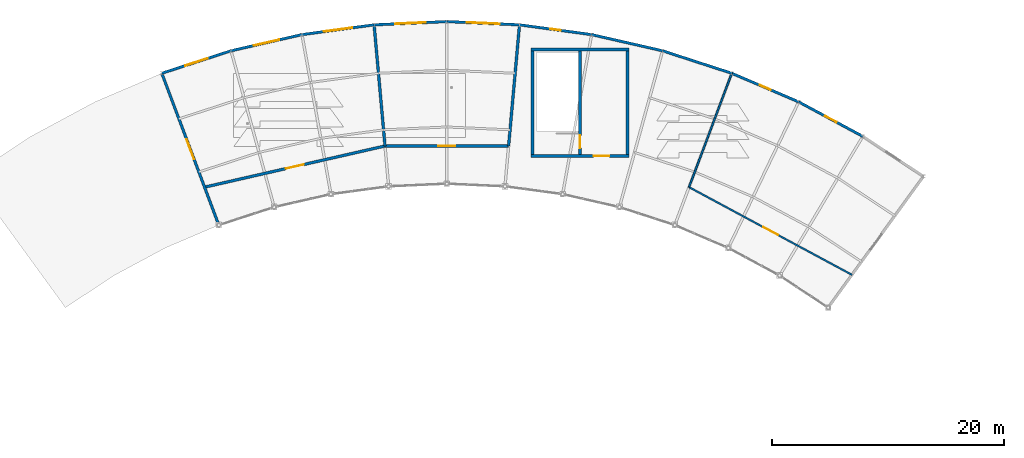
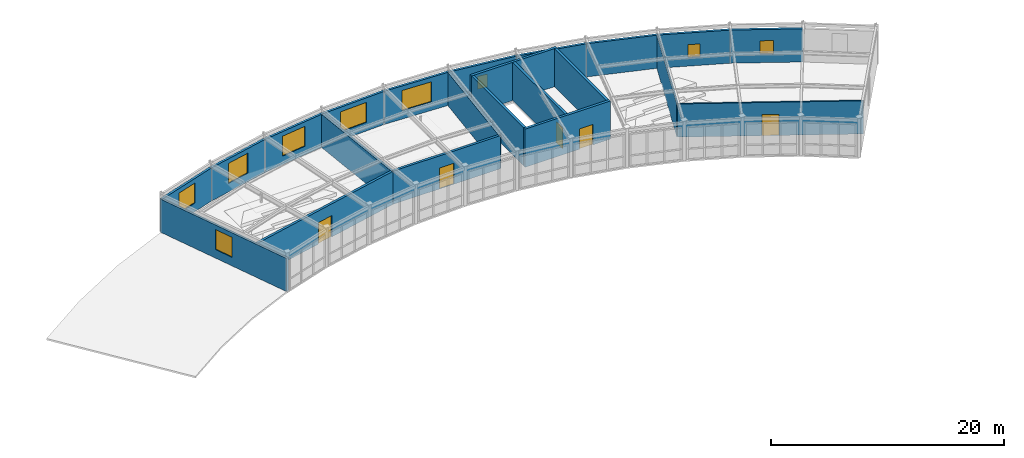
# One storey, part 41 of 54: 22 walls, 9 windows, 5 doors, 14 openings.
"""IFC4 building model written with IfcOpenShell, lengths in metres."""

from ifc_helpers import new_model, si_unit, direction, frame, frame_2d, origin, place, context, subcontext, project, spatial, rectangle, extrude, material, layer, layer_set, type_object, element, fill, save


model = new_model("IFC4")

# Units and contexts
model_context = context("Model", 3, precision=1e-05, world=origin(), true_north=direction((0.0, 1.0)))
body_context = subcontext(model_context, "Body", "Model", "MODEL_VIEW")
ifc_project = project(units=[si_unit("LENGTHUNIT", "METRE"), si_unit("AREAUNIT", "SQUARE_METRE"), si_unit("VOLUMEUNIT", "CUBIC_METRE"), si_unit("PLANEANGLEUNIT", "RADIAN"), si_unit("MASSUNIT", "GRAM", prefix="KILO")], contexts=[model_context])

# Site, building, storey
site_placement = place(None, origin())
site = spatial("IfcSite", under=ifc_project, at=site_placement, CompositionType="ELEMENT")
building_placement = place(site_placement, origin())
building = spatial("IfcBuilding", under=site, at=building_placement, Name="Selat Folded Stagehouse", CompositionType="ELEMENT")
storey_placement = place(building_placement, frame((0.0, 0.0, 15.0)))
storey = spatial("IfcBuildingStorey", under=building, at=storey_placement, Name="L03", CompositionType="ELEMENT", Elevation=15.0)

# Wall, opening, door
ifc_material_1 = material(Name="Double-stud acoustic gypsum and mineral wool", Category="gypsum")
ifc_layer_1 = layer(ifc_material_1, 0.239990234375)
ifc_layer_set_1 = layer_set([ifc_layer_1], Name="Double-stud acoustic gypsum and mineral wool")
wall_type_1 = type_object("IfcWallType", Name="WAL-ACOU-240", PredefinedType="PARTITIONING", material=ifc_layer_set_1)
wall_1_placement = place(storey_placement, frame((71.4931640625, 93.7060546875, 0.0), z_axis=(0.0, 0.0, 1.0), x_axis=(0.974928557895, 0.222518104885, 0.0)))
wall_1 = element("IfcWall", 1, at=wall_1_placement, inside=storey, type_object=wall_type_1, Name="L03 interior partition wall 100", PredefinedType="PARTITIONING", context=body_context, shape_type="SweptSolid", body=[
    extrude(rectangle(XDim=15.9736328125, YDim=0.239990234375, at=frame_2d((7.98681640625, 0.0))), origin(), (0.0, 0.0, 1.0), 3.47705078125),
])
opening_1_placement = place(wall_1_placement, frame((7.18701171875, 0.0, 0.0)))
opening_1 = element("IfcOpeningElement", 2, at=opening_1_placement, cuts=wall_1, Name="Opening RD-01", PredefinedType="OPENING", context=body_context, shape_type="SweptSolid", body=[
    extrude(rectangle(XDim=1.60009765625, YDim=2.25, at=frame_2d((0.800048828125, 1.125))), frame((0.0, 0.1298828125, 0.0), z_axis=(0.0, -1.0, 0.0), x_axis=(1.0, 0.0, 0.0)), (0.0, 0.0, 1.0), 0.260009765625),
])
ifc_material_2 = material(Name="Rehearsal studio acoustic leaf-and-half door", Category="wood")
door_type_1 = type_object("IfcDoorType", Name="DOR-REH-1600", OperationType="NOTDEFINED", PredefinedType="DOOR", material=ifc_material_2)
door_1_placement = place(opening_1_placement, origin())
door_1 = element("IfcDoor", 3, at=door_1_placement, inside=storey, type_object=door_type_1, Name="L03 interior door IWAL-L03-100-1", OperationType="SINGLE_SWING_RIGHT", OverallHeight=2.25, OverallWidth=1.60009765625, PredefinedType="DOOR", context=body_context, shape_type="SweptSolid", body=[
    extrude(rectangle(XDim=1.60009765625, YDim=2.25, at=frame_2d((0.800048828125, 1.125))), frame((0.0, 0.02490234375, 0.0), z_axis=(0.0, -1.0, 0.0), x_axis=(1.0, 0.0, 0.0)), (0.0, 0.0, 1.0), 0.050048828125),
])
fill(opening_1, door_1)

wall_2_placement = place(storey_placement, frame((87.06640625, 97.260498046875, 0.0), z_axis=(0.0, 0.0, 1.0), x_axis=(1.0, 0.0, 0.0)))
wall_2 = element("IfcWall", 4, at=wall_2_placement, inside=storey, type_object=wall_type_1, Name="L03 interior partition wall 101", PredefinedType="PARTITIONING", context=body_context, shape_type="SweptSolid", body=[
    extrude(rectangle(XDim=10.6669921875, YDim=0.239990234375, at=frame_2d((5.33349609375, 0.0))), origin(), (0.0, 0.0, 1.0), 3.47705078125),
])
opening_2_placement = place(wall_2_placement, frame((4.6083984375, 0.0, 0.0)))
opening_2 = element("IfcOpeningElement", 5, at=opening_2_placement, cuts=wall_2, Name="Opening RD-02", PredefinedType="OPENING", context=body_context, shape_type="SweptSolid", body=[
    extrude(rectangle(XDim=1.449951171875, YDim=2.199951171875, at=frame_2d((0.72509765625, 1.10009765625))), frame((0.0, 0.1298828125, 0.0), z_axis=(0.0, -1.0, 0.0), x_axis=(1.0, 0.0, 0.0)), (0.0, 0.0, 1.0), 0.260009765625),
])
ifc_material_3 = material(Name="Music studio acoustic door", Category="wood")
door_type_2 = type_object("IfcDoorType", Name="DOR-REH-1450", OperationType="NOTDEFINED", PredefinedType="DOOR", material=ifc_material_3)
door_2_placement = place(opening_2_placement, origin())
door_2 = element("IfcDoor", 6, at=door_2_placement, inside=storey, type_object=door_type_2, Name="L03 interior door IWAL-L03-101-1", OperationType="SINGLE_SWING_LEFT", OverallHeight=2.199951171875, OverallWidth=1.449951171875, PredefinedType="DOOR", context=body_context, shape_type="SweptSolid", body=[
    extrude(rectangle(XDim=1.449951171875, YDim=2.199951171875, at=frame_2d((0.72509765625, 1.10009765625))), frame((0.0, 0.02490234375, 0.0), z_axis=(0.0, -1.0, 0.0), x_axis=(1.0, 0.0, 0.0)), (0.0, 0.0, 1.0), 0.050048828125),
])
fill(opening_2, door_2)

# Walls
for number, where, z_axis, x_axis, name in (
    (7, (87.06640625, 97.260498046875, 0.0), (0.0, 0.0, 1.0), (-0.089634239805, 0.995974750209, 0.0), "L03 interior partition wall 103"),
    (8, (97.7333984375, 97.260498046875, 0.0), (0.0, 0.0, 1.0), (0.089657304348, 0.995972674212, 0.0), "L03 interior partition wall 104"),
):
    element("IfcWall", number, at=place(storey_placement, frame(where, z_axis=z_axis, x_axis=x_axis)), inside=storey, type_object=wall_type_1, Name=name, PredefinedType="PARTITIONING", context=body_context, shape_type="SweptSolid", body=[
        extrude(rectangle(XDim=10.5, YDim=0.239990234375, at=frame_2d((5.25, 0.0))), origin(), (0.0, 0.0, 1.0), 3.47705078125),
    ])

# Wall, opening, door
ifc_material_4 = material(Name="Concrete C50/60", Category="concrete")
ifc_layer_2 = layer(ifc_material_4, 0.25)
ifc_layer_set_2 = layer_set([ifc_layer_2], Name="Concrete C50/60")
wall_type_2 = type_object("IfcWallType", Name="WAL-CORE-250", PredefinedType="SHEAR", material=ifc_layer_set_2)
wall_3_placement = place(storey_placement, frame((108.125, 96.39990234375, 0.0), z_axis=(0.0, 0.0, 1.0), x_axis=(-1.0, 0.0, 0.0)))
wall_3 = element("IfcWall", 9, at=wall_3_placement, inside=storey, type_object=wall_type_2, Name="L03 CR-6 south shear wall", PredefinedType="SHEAR", context=body_context, shape_type="SweptSolid", body=[
    extrude(rectangle(XDim=8.449951171875, YDim=0.25, at=frame_2d((4.22509765625, 0.0))), origin(), (0.0, 0.0, 1.0), 4.0),
])
opening_3_placement = place(wall_3_placement, frame((1.699951171875, 0.0, 0.0)))
opening_3 = element("IfcOpeningElement", 10, at=opening_3_placement, cuts=wall_3, Name="Opening FD-60B", PredefinedType="OPENING", context=body_context, shape_type="SweptSolid", body=[
    extrude(rectangle(XDim=1.35009765625, YDim=2.14990234375, at=frame_2d((0.675048828125, 1.074951171875))), frame((0.0, 0.135009765625, 0.0), z_axis=(0.0, -1.0, 0.0), x_axis=(1.0, 0.0, 0.0)), (0.0, 0.0, 1.0), 0.27001953125),
])
ifc_material_5 = material(Name="Protected stair escape door", Category="wood")
door_type_3 = type_object("IfcDoorType", Name="DOR-STR-1350", OperationType="NOTDEFINED", PredefinedType="DOOR", material=ifc_material_5)
door_3_placement = place(opening_3_placement, origin())
door_3 = element("IfcDoor", 11, at=door_3_placement, inside=storey, type_object=door_type_3, Name="L03 CR-6 core lobby fire door", OperationType="SINGLE_SWING_RIGHT", OverallHeight=2.14990234375, OverallWidth=1.35009765625, PredefinedType="DOOR", context=body_context, shape_type="SweptSolid", body=[
    extrude(rectangle(XDim=1.35009765625, YDim=2.14990234375, at=frame_2d((0.675048828125, 1.074951171875))), frame((0.0, 0.02490234375, 0.0), z_axis=(0.0, -1.0, 0.0), x_axis=(1.0, 0.0, 0.0)), (0.0, 0.0, 1.0), 0.050048828125),
])
fill(opening_3, door_3)

# Walls
wall_4_placement = place(storey_placement, frame((99.675048828125, 105.60009765625, 0.0), z_axis=(0.0, 0.0, 1.0), x_axis=(1.0, 0.0, 0.0)))
element("IfcWall", 12, at=wall_4_placement, inside=storey, type_object=wall_type_2, Name="L03 CR-6 north shear wall", PredefinedType="SHEAR", context=body_context, shape_type="SweptSolid", body=[
    extrude(rectangle(XDim=8.449951171875, YDim=0.25, at=frame_2d((4.22509765625, 0.0))), origin(), (0.0, 0.0, 1.0), 4.0),
])
for number, where, z_axis, x_axis, name in (
    (13, (99.800048828125, 96.52490234375, 0.0), (0.0, 0.0, 1.0), (0.0, 1.0, 0.0), "L03 CR-6 west shear wall"),
    (14, (108.0, 105.47509765625, 0.0), (0.0, 0.0, 1.0), (0.0, -1.0, 0.0), "L03 CR-6 east shear wall"),
):
    element("IfcWall", number, at=place(storey_placement, frame(where, z_axis=z_axis, x_axis=x_axis)), inside=storey, type_object=wall_type_2, Name=name, PredefinedType="SHEAR", context=body_context, shape_type="SweptSolid", body=[
        extrude(rectangle(XDim=8.9501953125, YDim=0.25, at=frame_2d((4.47509765625, 0.0))), origin(), (0.0, 0.0, 1.0), 4.0),
    ])

# Wall, opening, door
wall_5_placement = place(storey_placement, frame((103.8798828125, 105.47509765625, 0.0), z_axis=(0.0, 0.0, 1.0), x_axis=(0.0, -1.0, 0.0)))
wall_5 = element("IfcWall", 15, at=wall_5_placement, inside=storey, type_object=wall_type_2, Name="L03 CR-6 internal core divider wall", PredefinedType="SHEAR", context=body_context, shape_type="SweptSolid", body=[
    extrude(rectangle(XDim=8.9501953125, YDim=0.25, at=frame_2d((4.47509765625, 0.0))), origin(), (0.0, 0.0, 1.0), 4.0),
])
opening_4_placement = place(wall_5_placement, frame((7.300048828125, 0.0, 0.0)))
opening_4 = element("IfcOpeningElement", 16, at=opening_4_placement, cuts=wall_5, Name="Opening FD-60", PredefinedType="OPENING", context=body_context, shape_type="SweptSolid", body=[
    extrude(rectangle(XDim=1.10009765625, YDim=2.14990234375, at=frame_2d((0.550048828125, 1.074951171875))), frame((0.0, 0.135009765625, 0.0), z_axis=(0.0, -1.0, 0.0), x_axis=(1.0, 0.0, 0.0)), (0.0, 0.0, 1.0), 0.27001953125),
])
ifc_material_6 = material(Name="Fire-rated timber core door", Category="wood")
door_type_4 = type_object("IfcDoorType", Name="DOR-FIRE-60", OperationType="NOTDEFINED", PredefinedType="DOOR", material=ifc_material_6)
door_4_placement = place(opening_4_placement, origin())
door_4 = element("IfcDoor", 17, at=door_4_placement, inside=storey, type_object=door_type_4, Name="L03 CR-6 protected stair fire door", OperationType="SINGLE_SWING_LEFT", OverallHeight=2.14990234375, OverallWidth=1.10009765625, PredefinedType="DOOR", context=body_context, shape_type="SweptSolid", body=[
    extrude(rectangle(XDim=1.10009765625, YDim=2.14990234375, at=frame_2d((0.550048828125, 1.074951171875))), frame((0.0, 0.02490234375, 0.0), z_axis=(0.0, -1.0, 0.0), x_axis=(1.0, 0.0, 0.0)), (0.0, 0.0, 1.0), 0.050048828125),
])
fill(opening_4, door_4)

# Wall, opening, window
ifc_material_7 = material(Name="Precast concrete C40/50", Category="concrete")
ifc_layer_3 = layer(ifc_material_7, 0.22998046875)
ifc_layer_set_3 = layer_set([ifc_layer_3], Name="Precast concrete C40/50")
wall_type_3 = type_object("IfcWallType", Name="WAL-EXT-230", PredefinedType="STANDARD", material=ifc_layer_set_3)
wall_6_placement = place(storey_placement, frame((72.722900390625, 90.42919921875, 0.0), z_axis=(0.0, 0.0, 1.0), x_axis=(-0.35137378289, 0.936235261405, 0.0)))
wall_6 = element("IfcWall", 18, at=wall_6_placement, inside=storey, type_object=wall_type_3, Name="L03 exterior facade wall EW-L03-V6W", PredefinedType="STANDARD", context=body_context, shape_type="SweptSolid", body=[
    extrude(rectangle(XDim=13.999755859375, YDim=0.22998046875, at=frame_2d((7.0, 0.0))), origin(), (0.0, 0.0, 1.0), 3.47705078125),
])
opening_5_placement = place(wall_6_placement, frame((6.074951171875, 0.0, 0.89990234375)))
opening_5 = element("IfcOpeningElement", 19, at=opening_5_placement, cuts=wall_6, Name="Opening WN-20", PredefinedType="OPENING", context=body_context, shape_type="SweptSolid", body=[
    extrude(rectangle(XDim=1.85009765625, YDim=2.10009765625, at=frame_2d((0.925048828125, 1.050048828125))), frame((0.0, 0.125, 0.0), z_axis=(0.0, -1.0, 0.0), x_axis=(1.0, 0.0, 0.0)), (0.0, 0.0, 1.0), 0.25),
])
ifc_material_8 = material(Name="Thermally broken aluminium and acoustic low-E glass", Category="aluminium")
window_type_1 = type_object("IfcWindowType", Name="WIN-RH-1850x2100", PartitioningType="SINGLE_PANEL", PredefinedType="WINDOW", material=ifc_material_8)
window_1_placement = place(opening_5_placement, origin())
window_1 = element("IfcWindow", 20, at=window_1_placement, inside=storey, type_object=window_type_1, Name="L03 exterior window EW-L03-V6W-1", OverallHeight=2.10009765625, OverallWidth=1.85009765625, PartitioningType="SINGLE_PANEL", PredefinedType="WINDOW", context=body_context, shape_type="SweptSolid", body=[
    extrude(rectangle(XDim=1.85009765625, YDim=2.10009765625, at=frame_2d((0.925048828125, 1.050048828125))), frame((0.0, 0.030029296875, 0.0), z_axis=(0.0, -1.0, 0.0), x_axis=(1.0, 0.0, 0.0)), (0.0, 0.0, 1.0), 0.06005859375),
])
fill(opening_5, window_1)

wall_7_placement = place(storey_placement, frame((67.8037109375, 103.536376953125, 0.0), z_axis=(0.0, 0.0, 1.0), x_axis=(0.951058059905, 0.309012243593, 0.0)))
wall_7 = element("IfcWall", 21, at=wall_7_placement, inside=storey, type_object=wall_type_3, Name="L03 exterior facade wall EW-L03-V6OUT-03", PredefinedType="STANDARD", context=body_context, shape_type="SweptSolid", body=[
    extrude(rectangle(XDim=6.281005859375, YDim=0.22998046875, at=frame_2d((3.140625, 0.0))), origin(), (0.0, 0.0, 1.0), 3.47705078125),
])
opening_6_placement = place(wall_7_placement, frame((2.115478515625, 0.0, 0.89990234375)))
opening_6 = element("IfcOpeningElement", 22, at=opening_6_placement, cuts=wall_7, Name="Opening WN-19", PredefinedType="OPENING", context=body_context, shape_type="SweptSolid", body=[
    extrude(rectangle(XDim=2.050048828125, YDim=2.10009765625, at=frame_2d((1.02490234375, 1.050048828125))), frame((0.0, 0.125, 0.0), z_axis=(0.0, -1.0, 0.0), x_axis=(1.0, 0.0, 0.0)), (0.0, 0.0, 1.0), 0.25),
])
window_type_2 = type_object("IfcWindowType", Name="WIN-RH-2050x2100", PartitioningType="SINGLE_PANEL", PredefinedType="WINDOW", material=ifc_material_8)
window_2_placement = place(opening_6_placement, origin())
window_2 = element("IfcWindow", 23, at=window_2_placement, inside=storey, type_object=window_type_2, Name="L03 exterior window EW-L03-V6OUT-03-1", OverallHeight=2.10009765625, OverallWidth=2.050048828125, PartitioningType="SINGLE_PANEL", PredefinedType="WINDOW", context=body_context, shape_type="SweptSolid", body=[
    extrude(rectangle(XDim=2.050048828125, YDim=2.10009765625, at=frame_2d((1.02490234375, 1.050048828125))), frame((0.0, 0.030029296875, 0.0), z_axis=(0.0, -1.0, 0.0), x_axis=(1.0, 0.0, 0.0)), (0.0, 0.0, 1.0), 0.06005859375),
])
fill(opening_6, window_2)

wall_8_placement = place(storey_placement, frame((73.77734375, 105.477294921875, 0.0), z_axis=(0.0, 0.0, 1.0), x_axis=(0.974926249486, 0.222528218575, 0.0)))
wall_8 = element("IfcWall", 24, at=wall_8_placement, inside=storey, type_object=wall_type_3, Name="L03 exterior facade wall EW-L03-V6OUT-04", PredefinedType="STANDARD", context=body_context, shape_type="SweptSolid", body=[
    extrude(rectangle(XDim=6.281005859375, YDim=0.22998046875, at=frame_2d((3.140625, 0.0))), origin(), (0.0, 0.0, 1.0), 3.47705078125),
])
opening_7_placement = place(wall_8_placement, frame((2.015380859375, 0.0, 0.89990234375)))
opening_7 = element("IfcOpeningElement", 25, at=opening_7_placement, cuts=wall_8, Name="Opening WN-18", PredefinedType="OPENING", context=body_context, shape_type="SweptSolid", body=[
    extrude(rectangle(XDim=2.25, YDim=2.10009765625, at=frame_2d((1.125, 1.050048828125))), frame((0.0, 0.125, 0.0), z_axis=(0.0, -1.0, 0.0), x_axis=(1.0, 0.0, 0.0)), (0.0, 0.0, 1.0), 0.25),
])
window_type_3 = type_object("IfcWindowType", Name="WIN-RH-2250x2100", PartitioningType="SINGLE_PANEL", PredefinedType="WINDOW", material=ifc_material_8)
window_3_placement = place(opening_7_placement, origin())
window_3 = element("IfcWindow", 26, at=window_3_placement, inside=storey, type_object=window_type_3, Name="L03 exterior window EW-L03-V6OUT-04-1", OverallHeight=2.10009765625, OverallWidth=2.25, PartitioningType="SINGLE_PANEL", PredefinedType="WINDOW", context=body_context, shape_type="SweptSolid", body=[
    extrude(rectangle(XDim=2.25, YDim=2.10009765625, at=frame_2d((1.125, 1.050048828125))), frame((0.0, 0.030029296875, 0.0), z_axis=(0.0, -1.0, 0.0), x_axis=(1.0, 0.0, 0.0)), (0.0, 0.0, 1.0), 0.06005859375),
])
fill(opening_7, window_3)

wall_9_placement = place(storey_placement, frame((79.90087890625, 106.875, 0.0), z_axis=(0.0, 0.0, 1.0), x_axis=(0.990947344037, 0.134251113014, 0.0)))
wall_9 = element("IfcWall", 27, at=wall_9_placement, inside=storey, type_object=wall_type_3, Name="L03 exterior facade wall EW-L03-V6OUT-05", PredefinedType="STANDARD", context=body_context, shape_type="SweptSolid", body=[
    extrude(rectangle(XDim=6.28125, YDim=0.22998046875, at=frame_2d((3.140625, 0.0))), origin(), (0.0, 0.0, 1.0), 3.47705078125),
])
opening_8_placement = place(wall_9_placement, frame((1.91552734375, 0.0, 0.89990234375)))
opening_8 = element("IfcOpeningElement", 28, at=opening_8_placement, cuts=wall_9, Name="Opening WN-17", PredefinedType="OPENING", context=body_context, shape_type="SweptSolid", body=[
    extrude(rectangle(XDim=2.449951171875, YDim=2.10009765625, at=frame_2d((1.22509765625, 1.050048828125))), frame((0.0, 0.125, 0.0), z_axis=(0.0, -1.0, 0.0), x_axis=(1.0, 0.0, 0.0)), (0.0, 0.0, 1.0), 0.25),
])
window_type_4 = type_object("IfcWindowType", Name="WIN-RH-2450x2100", PartitioningType="SINGLE_PANEL", PredefinedType="WINDOW", material=ifc_material_8)
window_4_placement = place(opening_8_placement, origin())
window_4 = element("IfcWindow", 29, at=window_4_placement, inside=storey, type_object=window_type_4, Name="L03 exterior window EW-L03-V6OUT-05-1", OverallHeight=2.10009765625, OverallWidth=2.449951171875, PartitioningType="SINGLE_PANEL", PredefinedType="WINDOW", context=body_context, shape_type="SweptSolid", body=[
    extrude(rectangle(XDim=2.449951171875, YDim=2.10009765625, at=frame_2d((1.22509765625, 1.050048828125))), frame((0.0, 0.030029296875, 0.0), z_axis=(0.0, -1.0, 0.0), x_axis=(1.0, 0.0, 0.0)), (0.0, 0.0, 1.0), 0.06005859375),
])
fill(opening_8, window_4)

wall_10_placement = place(storey_placement, frame((86.125244140625, 107.71826171875, 0.0), z_axis=(0.0, 0.0, 1.0), x_axis=(0.998993472837, 0.044855782563, 0.0)))
wall_10 = element("IfcWall", 30, at=wall_10_placement, inside=storey, type_object=wall_type_3, Name="L03 exterior facade wall EW-L03-V6OUT-06", PredefinedType="STANDARD", context=body_context, shape_type="SweptSolid", body=[
    extrude(rectangle(XDim=6.281005859375, YDim=0.22998046875, at=frame_2d((3.140625, 0.0))), origin(), (0.0, 0.0, 1.0), 3.47705078125),
])
opening_9_placement = place(wall_10_placement, frame((1.815673828125, 0.0, 0.89990234375)))
opening_9 = element("IfcOpeningElement", 31, at=opening_9_placement, cuts=wall_10, Name="Opening WN-16", PredefinedType="OPENING", context=body_context, shape_type="SweptSolid", body=[
    extrude(rectangle(XDim=2.64990234375, YDim=2.10009765625, at=frame_2d((1.324951171875, 1.050048828125))), frame((0.0, 0.125, 0.0), z_axis=(0.0, -1.0, 0.0), x_axis=(1.0, 0.0, 0.0)), (0.0, 0.0, 1.0), 0.25),
])
window_type_5 = type_object("IfcWindowType", Name="WIN-RH-2650x2100", PartitioningType="SINGLE_PANEL", PredefinedType="WINDOW", material=ifc_material_8)
window_5_placement = place(opening_9_placement, origin())
window_5 = element("IfcWindow", 32, at=window_5_placement, inside=storey, type_object=window_type_5, Name="L03 exterior window EW-L03-V6OUT-06-1", OverallHeight=2.10009765625, OverallWidth=2.64990234375, PartitioningType="SINGLE_PANEL", PredefinedType="WINDOW", context=body_context, shape_type="SweptSolid", body=[
    extrude(rectangle(XDim=2.64990234375, YDim=2.10009765625, at=frame_2d((1.324951171875, 1.050048828125))), frame((0.0, 0.030029296875, 0.0), z_axis=(0.0, -1.0, 0.0), x_axis=(1.0, 0.0, 0.0)), (0.0, 0.0, 1.0), 0.06005859375),
])
fill(opening_9, window_5)

wall_11_placement = place(storey_placement, frame((92.39990234375, 108.0, 0.0), z_axis=(0.0, 0.0, 1.0), x_axis=(0.99899355104, -0.044854040849, 0.0)))
wall_11 = element("IfcWall", 33, at=wall_11_placement, inside=storey, type_object=wall_type_3, Name="L03 exterior facade wall EW-L03-V6OUT-07", PredefinedType="STANDARD", context=body_context, shape_type="SweptSolid", body=[
    extrude(rectangle(XDim=6.28125, YDim=0.22998046875, at=frame_2d((3.140625, 0.0))), origin(), (0.0, 0.0, 1.0), 3.47705078125),
])
opening_10_placement = place(wall_11_placement, frame((1.715576171875, 0.0, 0.89990234375)))
opening_10 = element("IfcOpeningElement", 34, at=opening_10_placement, cuts=wall_11, Name="Opening WN-15", PredefinedType="OPENING", context=body_context, shape_type="SweptSolid", body=[
    extrude(rectangle(XDim=2.85009765625, YDim=2.10009765625, at=frame_2d((1.425048828125, 1.050048828125))), frame((0.0, 0.125, 0.0), z_axis=(0.0, -1.0, 0.0), x_axis=(1.0, 0.0, 0.0)), (0.0, 0.0, 1.0), 0.25),
])
window_type_6 = type_object("IfcWindowType", Name="WIN-RH-2850x2100", PartitioningType="SINGLE_PANEL", PredefinedType="WINDOW", material=ifc_material_8)
window_6_placement = place(opening_10_placement, origin())
window_6 = element("IfcWindow", 35, at=window_6_placement, inside=storey, type_object=window_type_6, Name="L03 exterior window EW-L03-V6OUT-07-1", OverallHeight=2.10009765625, OverallWidth=2.85009765625, PartitioningType="SINGLE_PANEL", PredefinedType="WINDOW", context=body_context, shape_type="SweptSolid", body=[
    extrude(rectangle(XDim=2.85009765625, YDim=2.10009765625, at=frame_2d((1.425048828125, 1.050048828125))), frame((0.0, 0.030029296875, 0.0), z_axis=(0.0, -1.0, 0.0), x_axis=(1.0, 0.0, 0.0)), (0.0, 0.0, 1.0), 0.06005859375),
])
fill(opening_10, window_6)

wall_12_placement = place(storey_placement, frame((98.6748046875, 107.71826171875, 0.0), z_axis=(0.0, 0.0, 1.0), x_axis=(0.990946643459, -0.134256284087, 0.0)))
wall_12 = element("IfcWall", 36, at=wall_12_placement, inside=storey, type_object=wall_type_3, Name="L03 exterior facade wall EW-L03-V6OUT-08", PredefinedType="STANDARD", context=body_context, shape_type="SweptSolid", body=[
    extrude(rectangle(XDim=6.281005859375, YDim=0.22998046875, at=frame_2d((3.140625, 0.0))), origin(), (0.0, 0.0, 1.0), 3.47705078125),
])
opening_11_placement = place(wall_12_placement, frame((2.6904296875, 0.0, 0.89990234375)))
opening_11 = element("IfcOpeningElement", 37, at=opening_11_placement, cuts=wall_12, Name="Opening WN-44", PredefinedType="OPENING", context=body_context, shape_type="SweptSolid", body=[
    extrude(rectangle(XDim=0.89990234375, YDim=1.35009765625, at=frame_2d((0.449951171875, 0.675048828125))), frame((0.0, 0.125, 0.0), z_axis=(0.0, -1.0, 0.0), x_axis=(1.0, 0.0, 0.0)), (0.0, 0.0, 1.0), 0.25),
])
window_type_7 = type_object("IfcWindowType", Name="WIN-ST-0900x1350", PartitioningType="SINGLE_PANEL", PredefinedType="WINDOW", material=ifc_material_8)
window_7_placement = place(opening_11_placement, origin())
window_7 = element("IfcWindow", 38, at=window_7_placement, inside=storey, type_object=window_type_7, Name="L03 exterior window EW-L03-V6OUT-08-1", OverallHeight=1.35009765625, OverallWidth=0.89990234375, PartitioningType="SINGLE_PANEL", PredefinedType="WINDOW", context=body_context, shape_type="SweptSolid", body=[
    extrude(rectangle(XDim=0.89990234375, YDim=1.35009765625, at=frame_2d((0.449951171875, 0.675048828125))), frame((0.0, 0.030029296875, 0.0), z_axis=(0.0, -1.0, 0.0), x_axis=(1.0, 0.0, 0.0)), (0.0, 0.0, 1.0), 0.06005859375),
])
fill(opening_11, window_7)

# Walls
wall_13_placement = place(storey_placement, frame((104.89892578125, 106.875, 0.0), z_axis=(0.0, 0.0, 1.0), x_axis=(0.974928174151, -0.22251978619, 0.0)))
element("IfcWall", 39, at=wall_13_placement, inside=storey, type_object=wall_type_3, Name="L03 exterior facade wall EW-L03-V6OUT-09", PredefinedType="STANDARD", context=body_context, shape_type="SweptSolid", body=[
    extrude(rectangle(XDim=6.28125, YDim=0.22998046875, at=frame_2d((3.140625, 0.0))), origin(), (0.0, 0.0, 1.0), 3.47705078125),
])
wall_14_placement = place(storey_placement, frame((111.022705078125, 105.477294921875, 0.0), z_axis=(0.0, 0.0, 1.0), x_axis=(0.951054348109, -0.309023667285, 0.0)))
element("IfcWall", 40, at=wall_14_placement, inside=storey, type_object=wall_type_3, Name="L03 exterior facade wall EW-L03-V6OUT-10", PredefinedType="STANDARD", context=body_context, shape_type="SweptSolid", body=[
    extrude(rectangle(XDim=6.28076171875, YDim=0.22998046875, at=frame_2d((3.140380859375, 0.0))), origin(), (0.0, 0.0, 1.0), 3.47705078125),
])

# Wall, opening, window
wall_15_placement = place(storey_placement, frame((116.99609375, 103.536376953125, 0.0), z_axis=(0.0, 0.0, 1.0), x_axis=(0.919540617607, -0.392994977793, 0.0)))
wall_15 = element("IfcWall", 41, at=wall_15_placement, inside=storey, type_object=wall_type_3, Name="L03 exterior facade wall EW-L03-V6OUT-11", PredefinedType="STANDARD", context=body_context, shape_type="SweptSolid", body=[
    extrude(rectangle(XDim=6.28125, YDim=0.22998046875, at=frame_2d((3.140625, 0.0))), origin(), (0.0, 0.0, 1.0), 3.47705078125),
])
opening_12_placement = place(wall_15_placement, frame((2.615478515625, 0.0, 0.89990234375)))
opening_12 = element("IfcOpeningElement", 42, at=opening_12_placement, cuts=wall_15, Name="Opening WN-43", PredefinedType="OPENING", context=body_context, shape_type="SweptSolid", body=[
    extrude(rectangle(XDim=1.050048828125, YDim=1.35009765625, at=frame_2d((0.52490234375, 0.675048828125))), frame((0.0, 0.125, 0.0), z_axis=(0.0, -1.0, 0.0), x_axis=(1.0, 0.0, 0.0)), (0.0, 0.0, 1.0), 0.25),
])
window_type_8 = type_object("IfcWindowType", Name="WIN-ST-1050x1350", PartitioningType="SINGLE_PANEL", PredefinedType="WINDOW", material=ifc_material_8)
window_8_placement = place(opening_12_placement, origin())
window_8 = element("IfcWindow", 43, at=window_8_placement, inside=storey, type_object=window_type_8, Name="L03 exterior window EW-L03-V6OUT-11-1", OverallHeight=1.35009765625, OverallWidth=1.050048828125, PartitioningType="SINGLE_PANEL", PredefinedType="WINDOW", context=body_context, shape_type="SweptSolid", body=[
    extrude(rectangle(XDim=1.050048828125, YDim=1.35009765625, at=frame_2d((0.52490234375, 0.675048828125))), frame((0.0, 0.030029296875, 0.0), z_axis=(0.0, -1.0, 0.0), x_axis=(1.0, 0.0, 0.0)), (0.0, 0.0, 1.0), 0.06005859375),
])
fill(opening_12, window_8)

wall_16_placement = place(storey_placement, frame((122.77197265625, 101.06787109375, 0.0), z_axis=(0.0, 0.0, 1.0), x_axis=(0.880582156138, -0.473893517883, 0.0)))
wall_16 = element("IfcWall", 44, at=wall_16_placement, inside=storey, type_object=wall_type_3, Name="L03 exterior facade wall EW-L03-V6OUT-12", PredefinedType="STANDARD", context=body_context, shape_type="SweptSolid", body=[
    extrude(rectangle(XDim=6.281005859375, YDim=0.22998046875, at=frame_2d((3.140625, 0.0))), origin(), (0.0, 0.0, 1.0), 3.47705078125),
])
opening_13_placement = place(wall_16_placement, frame((2.5654296875, 0.0, 0.89990234375)))
opening_13 = element("IfcOpeningElement", 45, at=opening_13_placement, cuts=wall_16, Name="Opening WN-42", PredefinedType="OPENING", context=body_context, shape_type="SweptSolid", body=[
    extrude(rectangle(XDim=1.14990234375, YDim=1.39990234375, at=frame_2d((0.574951171875, 0.699951171875))), frame((0.0, 0.125, 0.0), z_axis=(0.0, -1.0, 0.0), x_axis=(1.0, 0.0, 0.0)), (0.0, 0.0, 1.0), 0.25),
])
window_type_9 = type_object("IfcWindowType", Name="WIN-ST-1150x1400", PartitioningType="SINGLE_PANEL", PredefinedType="WINDOW", material=ifc_material_8)
window_9_placement = place(opening_13_placement, origin())
window_9 = element("IfcWindow", 46, at=window_9_placement, inside=storey, type_object=window_type_9, Name="L03 exterior window EW-L03-V6OUT-12-1", OverallHeight=1.39990234375, OverallWidth=1.14990234375, PartitioningType="SINGLE_PANEL", PredefinedType="WINDOW", context=body_context, shape_type="SweptSolid", body=[
    extrude(rectangle(XDim=1.14990234375, YDim=1.39990234375, at=frame_2d((0.574951171875, 0.699951171875))), frame((0.0, 0.030029296875, 0.0), z_axis=(0.0, -1.0, 0.0), x_axis=(1.0, 0.0, 0.0)), (0.0, 0.0, 1.0), 0.06005859375),
])
fill(opening_13, window_9)

# Wall, opening, door
ifc_material_9 = material(Name="Fire-rated drywall stud partition", Category="gypsum")
ifc_layer_4 = layer(ifc_material_9, 0.14990234375)
ifc_layer_set_4 = layer_set([ifc_layer_4], Name="Fire-rated drywall stud partition")
wall_type_4 = type_object("IfcWallType", Name="WAL-PART-150", PredefinedType="PARTITIONING", material=ifc_layer_set_4)
wall_17_placement = place(storey_placement, frame((113.306884765625, 93.7060546875, 0.0), z_axis=(0.0, 0.0, 1.0), x_axis=(0.880592290025, -0.473874686757, 0.0)))
wall_17 = element("IfcWall", 47, at=wall_17_placement, inside=storey, type_object=wall_type_4, Name="L03 interior partition wall 102", PredefinedType="PARTITIONING", context=body_context, shape_type="SweptSolid", body=[
    extrude(rectangle(XDim=15.973876953125, YDim=0.14990234375, at=frame_2d((7.98681640625, 0.0))), origin(), (0.0, 0.0, 1.0), 3.47705078125),
])
opening_14_placement = place(wall_17_placement, frame((7.261962890625, 0.0, 0.0)))
opening_14 = element("IfcOpeningElement", 48, at=opening_14_placement, cuts=wall_17, Name="Opening RD-02", PredefinedType="OPENING", context=body_context, shape_type="SweptSolid", body=[
    extrude(rectangle(XDim=1.449951171875, YDim=2.199951171875, at=frame_2d((0.72509765625, 1.10009765625))), frame((0.0, 0.0849609375, 0.0), z_axis=(0.0, -1.0, 0.0), x_axis=(1.0, 0.0, 0.0)), (0.0, 0.0, 1.0), 0.169921875),
])
door_5_placement = place(opening_14_placement, origin())
door_5 = element("IfcDoor", 49, at=door_5_placement, inside=storey, type_object=door_type_2, Name="L03 interior door IWAL-L03-102-1", OperationType="SINGLE_SWING_RIGHT", OverallHeight=2.199951171875, OverallWidth=1.449951171875, PredefinedType="DOOR", context=body_context, shape_type="SweptSolid", body=[
    extrude(rectangle(XDim=1.449951171875, YDim=2.199951171875, at=frame_2d((0.72509765625, 1.10009765625))), frame((0.0, 0.02490234375, 0.0), z_axis=(0.0, -1.0, 0.0), x_axis=(1.0, 0.0, 0.0)), (0.0, 0.0, 1.0), 0.050048828125),
])
fill(opening_14, door_5)

# Wall
wall_18_placement = place(storey_placement, frame((113.306884765625, 93.7060546875, 0.0), z_axis=(0.0, 0.0, 1.0), x_axis=(0.351360409251, 0.93624028049, 0.0)))
element("IfcWall", 50, at=wall_18_placement, inside=storey, type_object=wall_type_4, Name="L03 interior partition wall 105", PredefinedType="PARTITIONING", context=body_context, shape_type="SweptSolid", body=[
    extrude(rectangle(XDim=10.499755859375, YDim=0.14990234375, at=frame_2d((5.25, 0.0))), origin(), (0.0, 0.0, 1.0), 3.47705078125),
])

save(model, "model.ifc")
